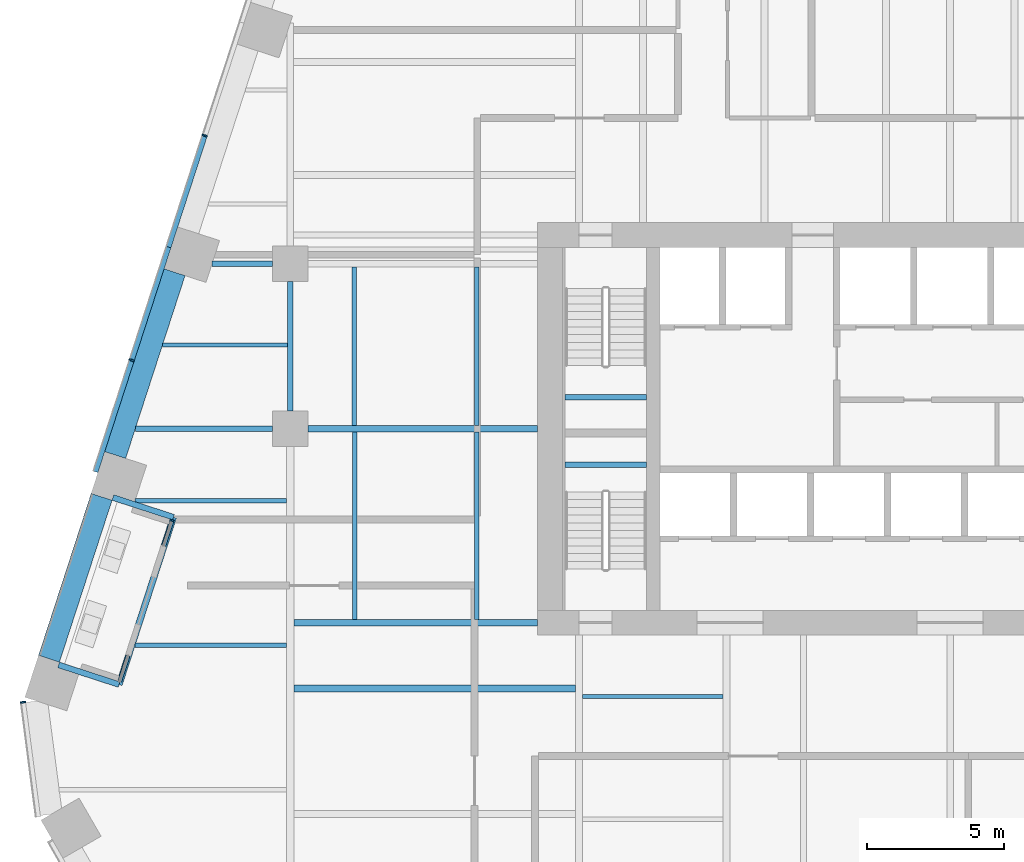
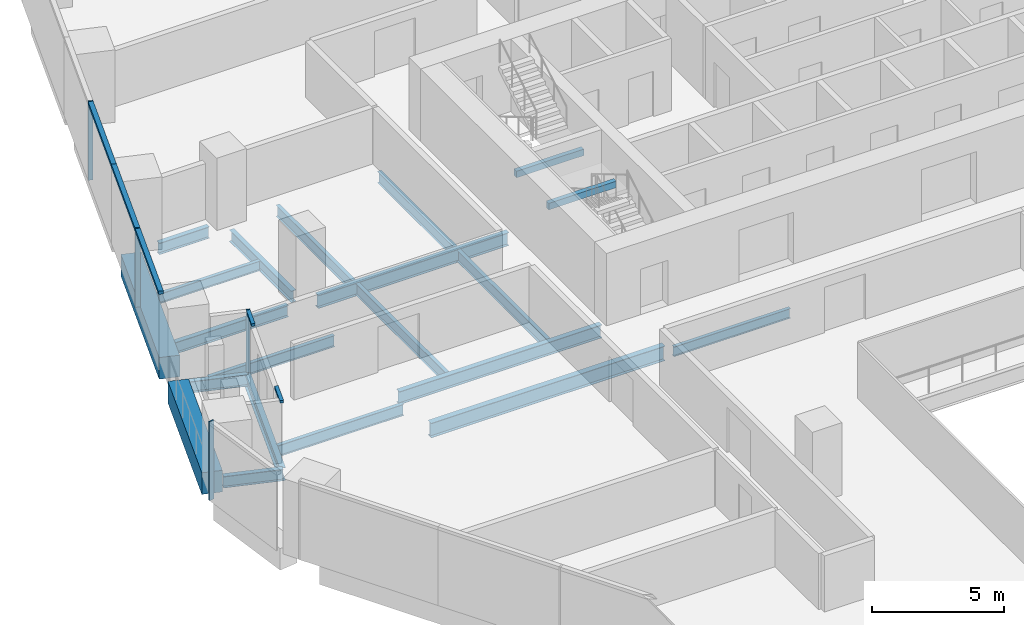
# One storey, part 10 of 31: 21 beams, 9 members, 3 elements without a shape of their own.
"""IFC4 building model written with IfcOpenShell, lengths in metres."""

from ifc_helpers import new_model, si_unit, direction, frame, origin, origin_2d, place, context, subcontext, project, spatial, rectangle, i_section, extrude, material, layer, layer_set, material_profile, profile_set, type_object, element, aggregate, save


model = new_model("IFC4")

# Units and contexts
model_context = context("Model", 3, precision=1e-05, world=origin(), true_north=direction((0.0, 1.0)))
body_context = subcontext(model_context, "Body", "Model", "MODEL_VIEW")
ifc_project = project(units=[si_unit("LENGTHUNIT", "METRE"), si_unit("AREAUNIT", "SQUARE_METRE"), si_unit("VOLUMEUNIT", "CUBIC_METRE"), si_unit("PLANEANGLEUNIT", "RADIAN"), si_unit("MASSUNIT", "GRAM", prefix="KILO")], contexts=[model_context])

# Site, building, storey
site_placement = place(None, origin())
site = spatial("IfcSite", under=ifc_project, at=site_placement, CompositionType="ELEMENT")
building_placement = place(site_placement, origin())
building = spatial("IfcBuilding", under=site, at=building_placement, Name="Isthmus Gate Tower", CompositionType="ELEMENT")
storey_placement = place(building_placement, frame((0.0, 0.0, 113.5)))
storey = spatial("IfcBuildingStorey", under=building, at=storey_placement, Name="L27", CompositionType="ELEMENT", Elevation=113.5)

# Curtain wall, members
ifc_material_1 = material(Name="Aluminium, pale champagne anodised", Category="aluminium")
ifc_layer_1 = layer(ifc_material_1, 0.199951171875)
ifc_layer_set_1 = layer_set([ifc_layer_1], Name="CW-1 UNITISED CURTAIN WALL 200 DEEP")
curtain_wall_type_1 = type_object("IfcCurtainWallType", Name="CW-1 UNITISED CURTAIN WALL 200 DEEP", PredefinedType="NOTDEFINED", material=ifc_layer_set_1)
curtain_wall_1_placement = place(storey_placement, origin())
curtain_wall_1 = element("IfcCurtainWall", 1, at=curtain_wall_1_placement, inside=storey, type_object=curtain_wall_type_1, Name="CW-1 NW L27", PredefinedType="NOTDEFINED")
ifc_material_2 = material(Name="Aluminium, pale champagne anodised", Category="aluminium")
ifc_material_profile_1 = material_profile(ifc_material_2, rectangle(XDim=0.06005859375, YDim=0.199951171875, at=origin_2d()), Name="60x200")
ifc_profile_set_1 = profile_set([ifc_material_profile_1], Name="Aluminium, pale champagne anodised")
member_type_1 = type_object("IfcMemberType", Name="CW-1 MULLION 60 X 200", PredefinedType="MULLION", material=ifc_profile_set_1)
member_1_placement = place(storey_placement, frame((-27.11474609375, 18.163818359375, 0.0), z_axis=(0.0, 0.0, 1.0), x_axis=(-0.309016994375, -0.951056516295, 0.0)))
member_1 = element("IfcMember", 2, at=member_1_placement, type_object=member_type_1, Name="CW-1 mullion", PredefinedType="MULLION", context=body_context, shape_type="SweptSolid", body=[
    extrude(rectangle(XDim=0.06005859375, YDim=0.199951171875, at=origin_2d()), origin(), (0.0, 0.0, 1.0), 3.64990234375),
])
member_2_placement = place(storey_placement, frame((-29.76904296875, 9.994873046875, 0.0), z_axis=(0.0, 0.0, 1.0), x_axis=(-0.309016994375, -0.951056516295, 0.0)))
member_2 = element("IfcMember", 3, at=member_2_placement, type_object=member_type_1, Name="CW-1 mullion", PredefinedType="MULLION", context=body_context, shape_type="SweptSolid", body=[
    extrude(rectangle(XDim=0.06005859375, YDim=0.199951171875, at=origin_2d()), origin(), (0.0, 0.0, 1.0), 3.64990234375),
])

# Curtain wall, member
curtain_wall_2_placement = place(storey_placement, origin())
curtain_wall_2 = element("IfcCurtainWall", 4, at=curtain_wall_2_placement, inside=storey, type_object=curtain_wall_type_1, Name="CW-1 NW-SW L27", PredefinedType="NOTDEFINED")
member_3_placement = place(storey_placement, frame((-33.722900390625, -2.44482421875, 0.0), z_axis=(0.0, 0.0, 1.0), x_axis=(0.129164534, -0.991623175988, 0.0)))
member_3 = element("IfcMember", 5, at=member_3_placement, type_object=member_type_1, Name="CW-1 mullion", PredefinedType="MULLION", context=body_context, shape_type="SweptSolid", body=[
    extrude(rectangle(XDim=0.06005859375, YDim=0.199951171875, at=origin_2d()), origin(), (0.0, 0.0, 1.0), 3.64990234375),
])
aggregate(curtain_wall_2, [member_3])

# Member
ifc_material_3 = material(Name="Aluminium, pale champagne anodised", Category="aluminium")
ifc_material_profile_2 = material_profile(ifc_material_3, rectangle(XDim=0.199951171875, YDim=0.14990234375, at=origin_2d()), Name="200x150")
ifc_profile_set_2 = profile_set([ifc_material_profile_2], Name="Aluminium, pale champagne anodised")
member_type_2 = type_object("IfcMemberType", Name="CW-1 TRANSOM 200 X 150", PredefinedType="USERDEFINED", material=ifc_profile_set_2)
member_4_placement = place(storey_placement, frame((-27.1240234375, 18.13525390625, 3.574951171875), z_axis=(-0.309023496777, -0.951054403512, 0.0), x_axis=(0.951054403512, -0.309023496777, 0.0)))
member_4 = element("IfcMember", 6, at=member_4_placement, type_object=member_type_2, Name="CW-1 transom", ObjectType="TRANSOM", PredefinedType="USERDEFINED", context=body_context, shape_type="SweptSolid", body=[
    extrude(rectangle(XDim=0.199951171875, YDim=0.14990234375, at=origin_2d()), origin(), (0.0, 0.0, 1.0), 4.234619140625),
])

member_5_placement = place(storey_placement, frame((-28.4326171875, 14.10791015625, 3.574951171875), z_axis=(-0.309021801109, -0.951054954479, 0.0), x_axis=(0.951054954479, -0.309021801109, 0.0)))
member_5 = element("IfcMember", 7, at=member_5_placement, type_object=member_type_2, Name="CW-1 transom", ObjectType="TRANSOM", PredefinedType="USERDEFINED", context=body_context, shape_type="SweptSolid", body=[
    extrude(rectangle(XDim=0.199951171875, YDim=0.14990234375, at=origin_2d()), origin(), (0.0, 0.0, 1.0), 4.294677734375),
])

member_6_placement = place(storey_placement, frame((-29.7783203125, 9.96630859375, 3.574951171875), z_axis=(-0.309023496777, -0.951054403512, 0.0), x_axis=(0.951054403512, -0.309023496777, 0.0)))
member_6 = element("IfcMember", 8, at=member_6_placement, type_object=member_type_2, Name="CW-1 transom", ObjectType="TRANSOM", PredefinedType="USERDEFINED", context=body_context, shape_type="SweptSolid", body=[
    extrude(rectangle(XDim=0.199951171875, YDim=0.14990234375, at=origin_2d()), origin(), (0.0, 0.0, 1.0), 4.234619140625),
])

aggregate(curtain_wall_1, [member_1, member_4, member_5, member_2, member_6])

# Curtain wall, members
ifc_material_4 = material(Name="Aluminium, pale champagne anodised", Category="aluminium")
ifc_layer_2 = layer(ifc_material_4, 0.14990234375)
ifc_layer_set_2 = layer_set([ifc_layer_2], Name="CW-6 LOGGIA BACK WALL GLAZING 150 DEEP")
curtain_wall_type_2 = type_object("IfcCurtainWallType", Name="CW-6 LOGGIA BACK WALL GLAZING 150 DEEP", PredefinedType="NOTDEFINED", material=ifc_layer_set_2)
curtain_wall_3_placement = place(storey_placement, origin())
curtain_wall_3 = element("IfcCurtainWall", 9, at=curtain_wall_3_placement, inside=storey, type_object=curtain_wall_type_2, Name="CW-6 NW L27", PredefinedType="NOTDEFINED")
ifc_material_5 = material(Name="Aluminium, pale champagne anodised", Category="aluminium")
ifc_material_profile_3 = material_profile(ifc_material_5, rectangle(XDim=0.06005859375, YDim=0.14990234375, at=origin_2d()), Name="60x150")
ifc_profile_set_3 = profile_set([ifc_material_profile_3], Name="Aluminium, pale champagne anodised")
member_type_3 = type_object("IfcMemberType", Name="CW-6 MULLION 60 X 150", PredefinedType="MULLION", material=ifc_profile_set_3)
member_7_placement = place(storey_placement, frame((-28.300048828125, 4.160888671875, 0.0), z_axis=(0.0, 0.0, 1.0), x_axis=(-0.309016994375, -0.951056516295, 0.0)))
member_7 = element("IfcMember", 10, at=member_7_placement, type_object=member_type_3, Name="CW-6 mullion", PredefinedType="MULLION", context=body_context, shape_type="SweptSolid", body=[
    extrude(rectangle(XDim=0.06005859375, YDim=0.14990234375, at=origin_2d()), origin(), (0.0, 0.0, 1.0), 2.89990234375),
])
ifc_material_6 = material(Name="Aluminium, pale champagne anodised", Category="aluminium")
ifc_material_profile_4 = material_profile(ifc_material_6, rectangle(XDim=0.14990234375, YDim=0.1201171875, at=origin_2d()), Name="150x120")
ifc_profile_set_4 = profile_set([ifc_material_profile_4], Name="Aluminium, pale champagne anodised")
member_type_4 = type_object("IfcMemberType", Name="CW-6 TRANSOM 150 X 120", PredefinedType="USERDEFINED", material=ifc_profile_set_4)
member_8_placement = place(storey_placement, frame((-28.309326171875, 4.13232421875, 2.840087890625), z_axis=(-0.309009288821, -0.951059019947, 0.0), x_axis=(0.951059019947, -0.309009288821, 0.0)))
member_8 = element("IfcMember", 11, at=member_8_placement, type_object=member_type_4, Name="CW-6 transom", ObjectType="TRANSOM", PredefinedType="USERDEFINED", context=body_context, shape_type="SweptSolid", body=[
    extrude(rectangle(XDim=0.14990234375, YDim=0.1201171875, at=origin_2d()), origin(), (0.0, 0.0, 1.0), 0.9345703125),
])
member_9_placement = place(storey_placement, frame((-29.89599609375, -0.751220703125, 2.840087890625), z_axis=(-0.309074970341, -0.951037676808, 0.0), x_axis=(0.951037676808, -0.309074970341, 0.0)))
member_9 = element("IfcMember", 12, at=member_9_placement, type_object=member_type_4, Name="CW-6 transom", ObjectType="TRANSOM", PredefinedType="USERDEFINED", context=body_context, shape_type="SweptSolid", body=[
    extrude(rectangle(XDim=0.14990234375, YDim=0.1201171875, at=origin_2d()), origin(), (0.0, 0.0, 1.0), 0.994384765625),
])
aggregate(curtain_wall_3, [member_7, member_8, member_9])

# Beams
ifc_material_7 = material(Name="Concrete f'c 70 MPa", Category="concrete")
ifc_material_profile_5 = material_profile(ifc_material_7, rectangle(XDim=0.800048828125, YDim=1.0, at=origin_2d()), Name="RC 800X1000")
ifc_profile_set_5 = profile_set([ifc_material_profile_5], Name="Concrete f'c 70 MPa")
beam_type_1 = type_object("IfcBeamType", Name="RC SPANDREL 800 X 1000", PredefinedType="SPANDREL", material=ifc_profile_set_5)
beam_1_placement = place(storey_placement, frame((-32.771240234375, -0.86279296875, -0.5), z_axis=(0.309012042366, 0.951058125286, 0.0), x_axis=(-0.951058125286, 0.309012042366, 0.0)))
element("IfcBeam", 13, at=beam_1_placement, inside=storey, type_object=beam_type_1, Name="str-spandrel-L27-18", PredefinedType="SPANDREL", context=body_context, shape_type="SweptSolid", body=[
    extrude(rectangle(XDim=0.800048828125, YDim=1.0, at=origin_2d()), origin(), (0.0, 0.0, 1.0), 6.189453125),
])
beam_2_placement = place(storey_placement, frame((-30.3642578125, 6.54541015625, -0.5), z_axis=(0.309029993465, 0.951052292537, 0.0), x_axis=(-0.951052292537, 0.309029993465, 0.0)))
element("IfcBeam", 14, at=beam_2_placement, inside=storey, type_object=beam_type_1, Name="str-spandrel-L27-19", PredefinedType="SPANDREL", context=body_context, shape_type="SweptSolid", body=[
    extrude(rectangle(XDim=0.800048828125, YDim=1.0, at=origin_2d()), origin(), (0.0, 0.0, 1.0), 6.9892578125),
])
ifc_material_8 = material(Name="Concrete f'c 40 MPa", Category="concrete")
ifc_material_profile_6 = material_profile(ifc_material_8, rectangle(XDim=0.199951171875, YDim=0.300048828125, at=origin_2d()), Name="STAIR LANDING BEAM RC 200 X 300")
ifc_profile_set_6 = profile_set([ifc_material_profile_6], Name="Concrete f'c 40 MPa")
beam_type_2 = type_object("IfcBeamType", Name="STAIR LANDING BEAM RC 200 X 300", PredefinedType="BEAM", material=ifc_profile_set_6)
for number, where, z_axis, x_axis, name in (
    (15, (-14.0, 8.64990234375, 1.47509765625), (1.0, 0.0, 0.0), (0.0, 1.0, 0.0), "L27 ST1 landing beam 1"),
    (16, (-14.0, 6.199951171875, 1.47509765625), (1.0, 0.0, 0.0), (0.0, 1.0, 0.0), "L27 ST7 landing beam 1"),
):
    element("IfcBeam", number, at=place(storey_placement, frame(where, z_axis=z_axis, x_axis=x_axis)), inside=storey, type_object=beam_type_2, Name=name, PredefinedType="BEAM", context=body_context, shape_type="SweptSolid", body=[
        extrude(rectangle(XDim=0.199951171875, YDim=0.300048828125, at=origin_2d()), origin(), (0.0, 0.0, 1.0), 2.949951171875),
    ])
ifc_material_9 = material(Name="Structural steel ASTM A992 Gr 50", Category="steel")
ifc_material_profile_7 = material_profile(ifc_material_9, i_section(OverallWidth=0.15234375, OverallDepth=0.45068359375, WebThickness=0.0078125, FlangeThickness=0.010986328125, at=origin_2d()), Name="W18X35")
ifc_profile_set_7 = profile_set([ifc_material_profile_7], Name="Structural steel ASTM A992 Gr 50")
beam_type_3 = type_object("IfcBeamType", Name="STEEL FLOOR BEAM W18X35", PredefinedType="JOIST", material=ifc_profile_set_7)
beam_3_placement = place(storey_placement, frame((-28.6416015625, 10.552490234375, -0.37548828125), z_axis=(1.0, 0.0, 0.0), x_axis=(0.0, 1.0, 0.0)))
element("IfcBeam", 17, at=beam_3_placement, inside=storey, type_object=beam_type_3, Name="str-beam-L27-02-00", PredefinedType="JOIST", context=body_context, shape_type="SweptSolid", body=[
    extrude(i_section(OverallWidth=0.15234375, OverallDepth=0.45068359375, WebThickness=0.0078125, FlangeThickness=0.010986328125, at=origin_2d()), origin(), (0.0, 0.0, 1.0), 4.536865234375),
])
beam_4_placement = place(storey_placement, frame((-13.3681640625, -2.232421875, -0.37548828125), z_axis=(1.0, 0.0, 0.0), x_axis=(0.0, 1.0, 0.0)))
element("IfcBeam", 18, at=beam_4_placement, inside=storey, type_object=beam_type_3, Name="str-beam-L27-14-02", PredefinedType="JOIST", context=body_context, shape_type="SweptSolid", body=[
    extrude(i_section(OverallWidth=0.15234375, OverallDepth=0.45068359375, WebThickness=0.0078125, FlangeThickness=0.010986328125, at=origin_2d()), origin(), (0.0, 0.0, 1.0), 5.1015625),
])
ifc_material_10 = material(Name="Structural steel ASTM A992 Gr 50", Category="steel")
ifc_material_profile_8 = material_profile(ifc_material_10, i_section(OverallWidth=0.1650390625, OverallDepth=0.52392578125, WebThickness=0.009521484375, FlangeThickness=0.010986328125, at=origin_2d()), Name="W21X44")
ifc_profile_set_8 = profile_set([ifc_material_profile_8], Name="Structural steel ASTM A992 Gr 50")
beam_type_4 = type_object("IfcBeamType", Name="STEEL FLOOR BEAM W21X44", PredefinedType="JOIST", material=ifc_profile_set_8)
beam_5_placement = place(storey_placement, frame((-29.638671875, -0.375, -0.411865234375), z_axis=(1.0, 0.0, 0.0), x_axis=(0.0, 1.0, 0.0)))
element("IfcBeam", 19, at=beam_5_placement, inside=storey, type_object=beam_type_4, Name="str-beam-L27-01-02", PredefinedType="JOIST", context=body_context, shape_type="SweptSolid", body=[
    extrude(i_section(OverallWidth=0.1650390625, OverallDepth=0.52392578125, WebThickness=0.009521484375, FlangeThickness=0.010986328125, at=origin_2d()), origin(), (0.0, 0.0, 1.0), 5.50537109375),
])
beam_6_placement = place(storey_placement, frame((-29.645263671875, 4.875, -0.411865234375), z_axis=(1.0, 0.0, 0.0), x_axis=(0.0, 1.0, 0.0)))
element("IfcBeam", 20, at=beam_6_placement, inside=storey, type_object=beam_type_4, Name="str-beam-L27-01-03", PredefinedType="JOIST", context=body_context, shape_type="SweptSolid", body=[
    extrude(i_section(OverallWidth=0.1650390625, OverallDepth=0.52392578125, WebThickness=0.009521484375, FlangeThickness=0.010986328125, at=origin_2d()), origin(), (0.0, 0.0, 1.0), 5.511962890625),
])
for number, where, z_axis, x_axis, name in (
    (21, (-21.64990234375, 0.564208984375, -0.411865234375), (0.0, 1.0, 0.0), (-1.0, 0.0, 0.0), "str-beam-L27-04-00"),
    (22, (-17.216552734375, 0.564208984375, -0.411865234375), (0.0, 1.0, 0.0), (-1.0, 0.0, 0.0), "str-beam-L27-04-01"),
):
    element("IfcBeam", number, at=place(storey_placement, frame(where, z_axis=z_axis, x_axis=x_axis)), inside=storey, type_object=beam_type_4, Name=name, PredefinedType="JOIST", context=body_context, shape_type="SweptSolid", body=[
        extrude(i_section(OverallWidth=0.1650390625, OverallDepth=0.52392578125, WebThickness=0.009521484375, FlangeThickness=0.010986328125, at=origin_2d()), origin(), (0.0, 0.0, 1.0), 6.821533203125),
    ])
for number, where, z_axis, x_axis, name in (
    (23, (-21.67138671875, 7.6142578125, -0.411865234375), (0.0, 1.0, 0.0), (-1.0, 0.0, 0.0), "str-beam-L27-05-00"),
    (24, (-17.223876953125, 7.6142578125, -0.411865234375), (0.0, 1.0, 0.0), (-1.0, 0.0, 0.0), "str-beam-L27-05-01"),
):
    element("IfcBeam", number, at=place(storey_placement, frame(where, z_axis=z_axis, x_axis=x_axis)), inside=storey, type_object=beam_type_4, Name=name, PredefinedType="JOIST", context=body_context, shape_type="SweptSolid", body=[
        extrude(i_section(OverallWidth=0.1650390625, OverallDepth=0.52392578125, WebThickness=0.009521484375, FlangeThickness=0.010986328125, at=origin_2d()), origin(), (0.0, 0.0, 1.0), 5.771484375),
    ])
ifc_material_11 = material(Name="Structural steel ASTM A992 Gr 50", Category="steel")
ifc_material_profile_9 = material_profile(ifc_material_11, i_section(OverallWidth=0.25390625, OverallDepth=0.679443359375, WebThickness=0.010986328125, FlangeThickness=0.015869140625, at=origin_2d()), Name="W27X84")
ifc_profile_set_9 = profile_set([ifc_material_profile_9], Name="Structural steel ASTM A992 Gr 50")
beam_type_5 = type_object("IfcBeamType", Name="STEEL FLOOR BEAM W27X84", PredefinedType="JOIST", material=ifc_profile_set_9)
beam_7_placement = place(storey_placement, frame((-23.86669921875, -1.947998046875, -0.48974609375), z_axis=(1.0, 0.0, 0.0), x_axis=(0.0, 1.0, 0.0)))
element("IfcBeam", 25, at=beam_7_placement, inside=storey, type_object=beam_type_5, Name="str-beam-L27-09-02", PredefinedType="JOIST", context=body_context, shape_type="SweptSolid", body=[
    extrude(i_section(OverallWidth=0.25390625, OverallDepth=0.679443359375, WebThickness=0.010986328125, FlangeThickness=0.015869140625, at=origin_2d()), origin(), (0.0, 0.0, 1.0), 10.23486328125),
])
ifc_material_12 = material(Name="Structural steel ASTM A992 Gr 50", Category="steel")
ifc_material_profile_10 = material_profile(ifc_material_12, i_section(OverallWidth=0.20947265625, OverallDepth=0.533447265625, WebThickness=0.009521484375, FlangeThickness=0.015869140625, at=origin_2d()), Name="W21X62")
ifc_profile_set_10 = profile_set([ifc_material_profile_10], Name="Structural steel ASTM A992 Gr 50")
beam_type_6 = type_object("IfcBeamType", Name="STEEL GIRDER W21X62", PredefinedType="BEAM", material=ifc_profile_set_10)
beam_8_placement = place(storey_placement, frame((-29.633544921875, 7.5, -0.416748046875), z_axis=(1.0, 0.0, 0.0), x_axis=(0.0, 1.0, 0.0)))
element("IfcBeam", 26, at=beam_8_placement, inside=storey, type_object=beam_type_6, Name="str-girder-L27-09", PredefinedType="BEAM", context=body_context, shape_type="SweptSolid", body=[
    extrude(i_section(OverallWidth=0.20947265625, OverallDepth=0.533447265625, WebThickness=0.009521484375, FlangeThickness=0.015869140625, at=origin_2d()), origin(), (0.0, 0.0, 1.0), 4.983642578125),
])
beam_9_placement = place(storey_placement, frame((-26.8427734375, 13.5, -0.416748046875), z_axis=(1.0, 0.0, 0.0), x_axis=(0.0, 1.0, 0.0)))
element("IfcBeam", 27, at=beam_9_placement, inside=storey, type_object=beam_type_6, Name="str-girder-L27-13", PredefinedType="BEAM", context=body_context, shape_type="SweptSolid", body=[
    extrude(i_section(OverallWidth=0.20947265625, OverallDepth=0.533447265625, WebThickness=0.009521484375, FlangeThickness=0.015869140625, at=origin_2d()), origin(), (0.0, 0.0, 1.0), 2.19287109375),
])
beam_10_placement = place(storey_placement, frame((-24.0, 8.14990234375, -0.416748046875), z_axis=(0.0, 1.0, 0.0), x_axis=(-1.0, 0.0, 0.0)))
element("IfcBeam", 28, at=beam_10_placement, inside=storey, type_object=beam_type_6, Name="str-girder-L27-22", PredefinedType="BEAM", context=body_context, shape_type="SweptSolid", body=[
    extrude(i_section(OverallWidth=0.20947265625, OverallDepth=0.533447265625, WebThickness=0.009521484375, FlangeThickness=0.015869140625, at=origin_2d()), origin(), (0.0, 0.0, 1.0), 4.7001953125),
])
ifc_material_13 = material(Name="Structural steel ASTM A992 Gr 50", Category="steel")
ifc_material_profile_11 = material_profile(ifc_material_13, i_section(OverallWidth=0.228515625, OverallDepth=0.6064453125, WebThickness=0.010986328125, FlangeThickness=0.017578125, at=origin_2d()), Name="W24X76")
ifc_profile_set_11 = profile_set([ifc_material_profile_11], Name="Structural steel ASTM A992 Gr 50")
beam_type_7 = type_object("IfcBeamType", Name="STEEL GIRDER W24X76", PredefinedType="BEAM", material=ifc_profile_set_11)
beam_11_placement = place(storey_placement, frame((-23.35009765625, 7.5, -0.453125), z_axis=(1.0, 0.0, 0.0), x_axis=(0.0, 1.0, 0.0)))
element("IfcBeam", 29, at=beam_11_placement, inside=storey, type_object=beam_type_7, Name="str-girder-L27-10", PredefinedType="BEAM", context=body_context, shape_type="SweptSolid", body=[
    extrude(i_section(OverallWidth=0.228515625, OverallDepth=0.6064453125, WebThickness=0.010986328125, FlangeThickness=0.017578125, at=origin_2d()), origin(), (0.0, 0.0, 1.0), 8.35009765625),
])
beam_12_placement = place(storey_placement, frame((-15.0, 0.449951171875, -0.453125), z_axis=(-1.0, 0.0, 0.0), x_axis=(0.0, -1.0, 0.0)))
element("IfcBeam", 30, at=beam_12_placement, inside=storey, type_object=beam_type_7, Name="str-girder-L27-39", PredefinedType="BEAM", context=body_context, shape_type="SweptSolid", body=[
    extrude(i_section(OverallWidth=0.228515625, OverallDepth=0.6064453125, WebThickness=0.010986328125, FlangeThickness=0.017578125, at=origin_2d()), origin(), (0.0, 0.0, 1.0), 8.86669921875),
])
ifc_material_14 = material(Name="Structural steel ASTM A992 Gr 50", Category="steel")
ifc_material_profile_12 = material_profile(ifc_material_14, i_section(OverallWidth=0.20947265625, OverallDepth=0.533447265625, WebThickness=0.009521484375, FlangeThickness=0.015869140625, at=origin_2d()), Name="W21X62")
ifc_profile_set_12 = profile_set([ifc_material_profile_12], Name="Structural steel ASTM A992 Gr 50")
beam_type_8 = type_object("IfcBeamType", Name="STEEL TRIMMER W21X62", PredefinedType="BEAM", material=ifc_profile_set_12)
beam_13_placement = place(storey_placement, frame((-30.44580078125, 4.999755859375, -0.416748046875), z_axis=(0.951030192385, -0.3090979993, 0.0), x_axis=(0.3090979993, 0.951030192385, 0.0)))
element("IfcBeam", 31, at=beam_13_placement, inside=storey, type_object=beam_type_8, Name="str-loggiatrim-L27-02-A", PredefinedType="BEAM", context=body_context, shape_type="SweptSolid", body=[
    extrude(i_section(OverallWidth=0.20947265625, OverallDepth=0.533447265625, WebThickness=0.009521484375, FlangeThickness=0.015869140625, at=origin_2d()), origin(), (0.0, 0.0, 1.0), 2.314208984375),
])
beam_14_placement = place(storey_placement, frame((-32.42333984375, -1.0859375, -0.416748046875), z_axis=(0.95104026995, -0.309066991011, 0.0), x_axis=(0.309066991011, 0.95104026995, 0.0)))
element("IfcBeam", 32, at=beam_14_placement, inside=storey, type_object=beam_type_8, Name="str-loggiatrim-L27-02-C", PredefinedType="BEAM", context=body_context, shape_type="SweptSolid", body=[
    extrude(i_section(OverallWidth=0.20947265625, OverallDepth=0.533447265625, WebThickness=0.009521484375, FlangeThickness=0.015869140625, at=origin_2d()), origin(), (0.0, 0.0, 1.0), 2.314453125),
])
ifc_material_15 = material(Name="Structural steel ASTM A992 Gr 50", Category="steel")
ifc_material_profile_13 = material_profile(ifc_material_15, i_section(OverallWidth=0.228515625, OverallDepth=0.603271484375, WebThickness=0.010986328125, FlangeThickness=0.014404296875, at=origin_2d()), Name="W24X68")
ifc_profile_set_13 = profile_set([ifc_material_profile_13], Name="Structural steel ASTM A992 Gr 50")
beam_type_9 = type_object("IfcBeamType", Name="STEEL TRIMMER W24X68", PredefinedType="BEAM", material=ifc_profile_set_13)
beam_15_placement = place(storey_placement, frame((-28.244873046875, 4.284423828125, -0.45166015625), z_axis=(-0.309007563764, -0.951059580435, 0.0), x_axis=(0.951059580435, -0.309007563764, 0.0)))
element("IfcBeam", 33, at=beam_15_placement, inside=storey, type_object=beam_type_9, Name="str-loggiatrim-L27-02-B", PredefinedType="BEAM", context=body_context, shape_type="SweptSolid", body=[
    extrude(i_section(OverallWidth=0.228515625, OverallDepth=0.603271484375, WebThickness=0.010986328125, FlangeThickness=0.014404296875, at=origin_2d()), origin(), (0.0, 0.0, 1.0), 6.39892578125),
])

save(model, "model.ifc")
